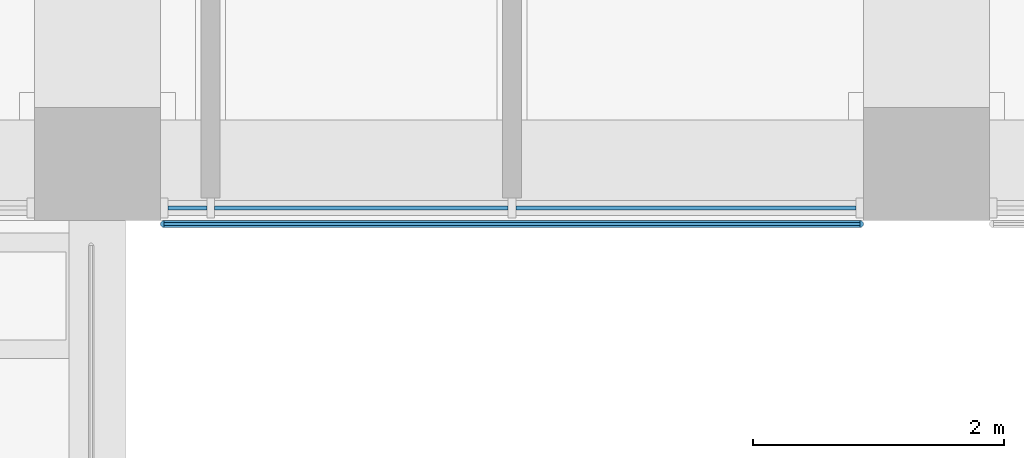
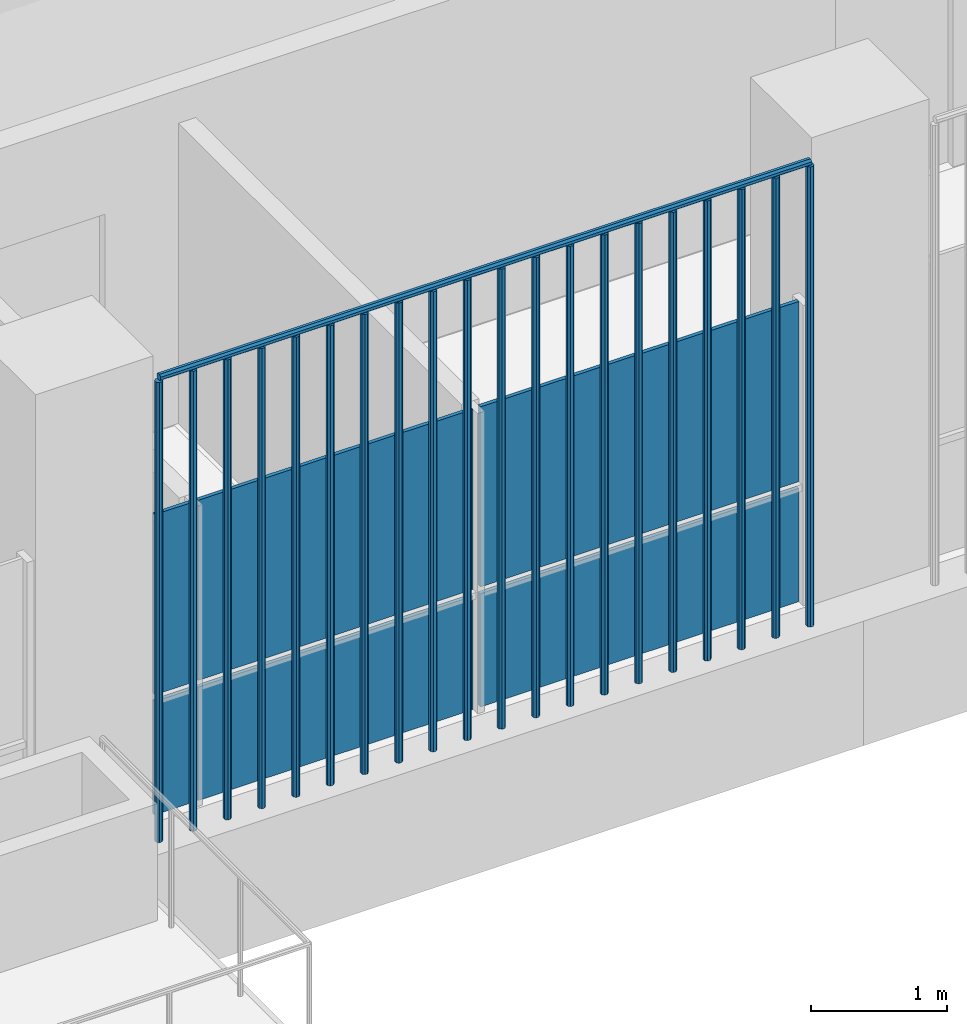
# One storey, part 8 of 19: 7 plates, 1 element without a shape of its own.
"""IFC4 building model written with IfcOpenShell, lengths in metres."""

from ifc_helpers import new_model, si_unit, direction, frame, origin, origin_2d, place, context, subcontext, project, spatial, polyline, rectangle, outline, extrude, material, layer, layer_set, type_object, element, aggregate, save


model = new_model("IFC4")

# Units and contexts
model_context = context("Model", 3, precision=1e-05, world=origin(), true_north=direction((0.0, 1.0)))
body_context = subcontext(model_context, "Body", "Model", "MODEL_VIEW")
ifc_project = project(units=[si_unit("LENGTHUNIT", "METRE"), si_unit("AREAUNIT", "SQUARE_METRE"), si_unit("VOLUMEUNIT", "CUBIC_METRE"), si_unit("PLANEANGLEUNIT", "RADIAN"), si_unit("MASSUNIT", "GRAM", prefix="KILO")], contexts=[model_context])

# Site, building, storey
site_placement = place(None, origin())
site = spatial("IfcSite", under=ifc_project, at=site_placement, CompositionType="ELEMENT")
building_placement = place(site_placement, origin())
building = spatial("IfcBuilding", under=site, at=building_placement, Name="Cobogo Forest Laboratory Tower", CompositionType="ELEMENT")
storey_placement = place(building_placement, frame((0.0, 0.0, 262.800048828125)))
storey = spatial("IfcBuildingStorey", under=building, at=storey_placement, Name="L60", CompositionType="ELEMENT", Elevation=262.800048828125)

# Curtain wall, plates
ifc_material_1 = material(Name="Aluminium curtain wall", Category="aluminium")
curtain_wall_type = type_object("IfcCurtainWallType", Name="CW-2 unitised curtain wall, solar control glazing, laboratory floors zones C and D", PredefinedType="USERDEFINED", material=ifc_material_1)
curtain_wall_placement = place(storey_placement, origin())
curtain_wall = element("IfcCurtainWall", 1, at=curtain_wall_placement, inside=storey, type_object=curtain_wall_type, Name="Curtain wall 03 L60", ObjectType="UNITISED CURTAIN WALL", PredefinedType="USERDEFINED")
ifc_material_2 = material(Name="Solar control insulated glass", Category="glass")
ifc_layer = layer(ifc_material_2, 0.031982421875)
ifc_layer_set = layer_set([ifc_layer], Name="GP-2 solar control glass unit 32")
plate_type_1 = type_object("IfcPlateType", Name="GP-2 solar control glass unit 32", PredefinedType="CURTAIN_PANEL", material=ifc_layer_set)
plate_1_placement = place(storey_placement, frame((27.114990234375, 2.949951171875, 0.0), z_axis=(0.0, 0.0, 1.0), x_axis=(1.0, 0.0, 0.0)))
plate_1 = element("IfcPlate", 2, at=plate_1_placement, type_object=plate_type_1, Name="CW-2 panel 1.1", PredefinedType="CURTAIN_PANEL", context=body_context, shape_type="SweptSolid", body=[
    extrude(rectangle(XDim=0.31005859375, YDim=0.031982421875, at=origin_2d()), origin(), (0.0, 0.0, 1.0), 1.02001953125),
])
plate_2_placement = place(storey_placement, frame((27.114990234375, 2.949951171875, 1.079833984375), z_axis=(0.0, 0.0, 1.0), x_axis=(1.0, 0.0, 0.0)))
plate_2 = element("IfcPlate", 3, at=plate_2_placement, type_object=plate_type_1, Name="CW-2 panel 1.2", PredefinedType="CURTAIN_PANEL", context=body_context, shape_type="SweptSolid", body=[
    extrude(rectangle(XDim=0.31005859375, YDim=0.031982421875, at=origin_2d()), origin(), (0.0, 0.0, 1.0), 1.6201171875),
])
plate_3_placement = place(storey_placement, frame((28.5, 2.949951171875, 0.0), z_axis=(0.0, 0.0, 1.0), x_axis=(1.0, 0.0, 0.0)))
plate_3 = element("IfcPlate", 4, at=plate_3_placement, type_object=plate_type_1, Name="CW-2 panel 2.1", PredefinedType="CURTAIN_PANEL", context=body_context, shape_type="SweptSolid", body=[
    extrude(rectangle(XDim=2.340087890625, YDim=0.031982421875, at=origin_2d()), origin(), (0.0, 0.0, 1.0), 1.02001953125),
])
plate_4_placement = place(storey_placement, frame((28.5, 2.949951171875, 1.079833984375), z_axis=(0.0, 0.0, 1.0), x_axis=(1.0, 0.0, 0.0)))
plate_4 = element("IfcPlate", 5, at=plate_4_placement, type_object=plate_type_1, Name="CW-2 panel 2.2", PredefinedType="CURTAIN_PANEL", context=body_context, shape_type="SweptSolid", body=[
    extrude(rectangle(XDim=2.340087890625, YDim=0.031982421875, at=origin_2d()), origin(), (0.0, 0.0, 1.0), 1.6201171875),
])
plate_5_placement = place(storey_placement, frame((31.0849609375, 2.949951171875, 0.0), z_axis=(0.0, 0.0, 1.0), x_axis=(1.0, 0.0, 0.0)))
plate_5 = element("IfcPlate", 6, at=plate_5_placement, type_object=plate_type_1, Name="CW-2 panel 3.1", PredefinedType="CURTAIN_PANEL", context=body_context, shape_type="SweptSolid", body=[
    extrude(rectangle(XDim=2.7099609375, YDim=0.031982421875, at=origin_2d()), origin(), (0.0, 0.0, 1.0), 1.02001953125),
])
plate_6_placement = place(storey_placement, frame((31.0849609375, 2.949951171875, 1.079833984375), z_axis=(0.0, 0.0, 1.0), x_axis=(1.0, 0.0, 0.0)))
plate_6 = element("IfcPlate", 7, at=plate_6_placement, type_object=plate_type_1, Name="CW-2 panel 3.2", PredefinedType="CURTAIN_PANEL", context=body_context, shape_type="SweptSolid", body=[
    extrude(rectangle(XDim=2.7099609375, YDim=0.031982421875, at=origin_2d()), origin(), (0.0, 0.0, 1.0), 1.6201171875),
])
aggregate(curtain_wall, [plate_1, plate_2, plate_3, plate_4, plate_5, plate_6])

# Plate
ifc_material_3 = material(Name="Terracotta", Category="masonry")
plate_type_2 = type_object("IfcPlateType", Name="TB1 terracotta baguette screen", PredefinedType="USERDEFINED", material=ifc_material_3)
plate_7_placement = place(storey_placement, frame((26.93115234375, 2.822021484375, -0.150146484375)))
element("IfcPlate", 8, at=plate_7_placement, inside=storey, type_object=plate_type_2, Name="Baguette screen S3 L60", ObjectType="BAGUETTE SCREEN", PredefinedType="USERDEFINED", context=body_context, shape_type="SweptSolid", body=[
    extrude(outline(polyline([(0.02880859375, 0.011962890625), (0.011962890625, 0.02880859375), (-0.011962890625, 0.02880859375), (-0.02880859375, 0.011962890625), (-0.02880859375, -0.011962890625), (-0.011962890625, -0.02880859375), (0.011962890625, -0.02880859375), (0.02880859375, -0.011962890625), (0.02880859375, 0.011962890625)])), frame((0.0, 0.0, 4.168701171875), z_axis=(1.0, 0.0, 0.0), x_axis=(0.0, 1.0, 0.0)), (0.0, 0.0, 1.0), 5.53759765625),
    extrude(outline(polyline([(0.02880859375, 0.011962890625), (0.011962890625, 0.02880859375), (-0.011962890625, 0.02880859375), (-0.02880859375, 0.011962890625), (-0.02880859375, -0.011962890625), (-0.011962890625, -0.02880859375), (0.011962890625, -0.02880859375), (0.02880859375, -0.011962890625), (0.02880859375, 0.011962890625)])), origin(), (0.0, 0.0, 1.0), 4.137451171875),
    extrude(outline(polyline([(0.02880859375, 0.011962890625), (0.011962890625, 0.02880859375), (-0.011962890625, 0.02880859375), (-0.02880859375, 0.011962890625), (-0.02880859375, -0.011962890625), (-0.011962890625, -0.02880859375), (0.011962890625, -0.02880859375), (0.02880859375, -0.011962890625), (0.02880859375, 0.011962890625)])), frame((0.29150390625, 0.0, 0.0)), (0.0, 0.0, 1.0), 4.137451171875),
    extrude(outline(polyline([(0.02880859375, 0.011962890625), (0.011962890625, 0.02880859375), (-0.011962890625, 0.02880859375), (-0.02880859375, 0.011962890625), (-0.02880859375, -0.011962890625), (-0.011962890625, -0.02880859375), (0.011962890625, -0.02880859375), (0.02880859375, -0.011962890625), (0.02880859375, 0.011962890625)])), frame((0.5830078125, 0.0, 0.0)), (0.0, 0.0, 1.0), 4.137451171875),
    extrude(outline(polyline([(0.02880859375, 0.011962890625), (0.011962890625, 0.02880859375), (-0.011962890625, 0.02880859375), (-0.02880859375, 0.011962890625), (-0.02880859375, -0.011962890625), (-0.011962890625, -0.02880859375), (0.011962890625, -0.02880859375), (0.02880859375, -0.011962890625), (0.02880859375, 0.011962890625)])), frame((0.874267578125, 0.0, 0.0)), (0.0, 0.0, 1.0), 4.137451171875),
    extrude(outline(polyline([(0.02880859375, 0.011962890625), (0.011962890625, 0.02880859375), (-0.011962890625, 0.02880859375), (-0.02880859375, 0.011962890625), (-0.02880859375, -0.011962890625), (-0.011962890625, -0.02880859375), (0.011962890625, -0.02880859375), (0.02880859375, -0.011962890625), (0.02880859375, 0.011962890625)])), frame((1.165771484375, 0.0, 0.0)), (0.0, 0.0, 1.0), 4.137451171875),
    extrude(outline(polyline([(0.02880859375, 0.011962890625), (0.011962890625, 0.02880859375), (-0.011962890625, 0.02880859375), (-0.02880859375, 0.011962890625), (-0.02880859375, -0.011962890625), (-0.011962890625, -0.02880859375), (0.011962890625, -0.02880859375), (0.02880859375, -0.011962890625), (0.02880859375, 0.011962890625)])), frame((1.457275390625, 0.0, 0.0)), (0.0, 0.0, 1.0), 4.137451171875),
    extrude(outline(polyline([(0.02880859375, 0.011962890625), (0.011962890625, 0.02880859375), (-0.011962890625, 0.02880859375), (-0.02880859375, 0.011962890625), (-0.02880859375, -0.011962890625), (-0.011962890625, -0.02880859375), (0.011962890625, -0.02880859375), (0.02880859375, -0.011962890625), (0.02880859375, 0.011962890625)])), frame((1.748779296875, 0.0, 0.0)), (0.0, 0.0, 1.0), 4.137451171875),
    extrude(outline(polyline([(0.02880859375, 0.011962890625), (0.011962890625, 0.02880859375), (-0.011962890625, 0.02880859375), (-0.02880859375, 0.011962890625), (-0.02880859375, -0.011962890625), (-0.011962890625, -0.02880859375), (0.011962890625, -0.02880859375), (0.02880859375, -0.011962890625), (0.02880859375, 0.011962890625)])), frame((2.040283203125, 0.0, 0.0)), (0.0, 0.0, 1.0), 4.137451171875),
    extrude(outline(polyline([(0.02880859375, 0.011962890625), (0.011962890625, 0.02880859375), (-0.011962890625, 0.02880859375), (-0.02880859375, 0.011962890625), (-0.02880859375, -0.011962890625), (-0.011962890625, -0.02880859375), (0.011962890625, -0.02880859375), (0.02880859375, -0.011962890625), (0.02880859375, 0.011962890625)])), frame((2.33154296875, 0.0, 0.0)), (0.0, 0.0, 1.0), 4.137451171875),
    extrude(outline(polyline([(0.02880859375, 0.011962890625), (0.011962890625, 0.02880859375), (-0.011962890625, 0.02880859375), (-0.02880859375, 0.011962890625), (-0.02880859375, -0.011962890625), (-0.011962890625, -0.02880859375), (0.011962890625, -0.02880859375), (0.02880859375, -0.011962890625), (0.02880859375, 0.011962890625)])), frame((2.623046875, 0.0, 0.0)), (0.0, 0.0, 1.0), 4.137451171875),
    extrude(outline(polyline([(0.02880859375, 0.011962890625), (0.011962890625, 0.02880859375), (-0.011962890625, 0.02880859375), (-0.02880859375, 0.011962890625), (-0.02880859375, -0.011962890625), (-0.011962890625, -0.02880859375), (0.011962890625, -0.02880859375), (0.02880859375, -0.011962890625), (0.02880859375, 0.011962890625)])), frame((2.91455078125, 0.0, 0.0)), (0.0, 0.0, 1.0), 4.137451171875),
    extrude(outline(polyline([(0.02880859375, 0.011962890625), (0.011962890625, 0.02880859375), (-0.011962890625, 0.02880859375), (-0.02880859375, 0.011962890625), (-0.02880859375, -0.011962890625), (-0.011962890625, -0.02880859375), (0.011962890625, -0.02880859375), (0.02880859375, -0.011962890625), (0.02880859375, 0.011962890625)])), frame((3.2060546875, 0.0, 0.0)), (0.0, 0.0, 1.0), 4.137451171875),
    extrude(outline(polyline([(0.02880859375, 0.011962890625), (0.011962890625, 0.02880859375), (-0.011962890625, 0.02880859375), (-0.02880859375, 0.011962890625), (-0.02880859375, -0.011962890625), (-0.011962890625, -0.02880859375), (0.011962890625, -0.02880859375), (0.02880859375, -0.011962890625), (0.02880859375, 0.011962890625)])), frame((3.497314453125, 0.0, 0.0)), (0.0, 0.0, 1.0), 4.137451171875),
    extrude(outline(polyline([(0.02880859375, 0.011962890625), (0.011962890625, 0.02880859375), (-0.011962890625, 0.02880859375), (-0.02880859375, 0.011962890625), (-0.02880859375, -0.011962890625), (-0.011962890625, -0.02880859375), (0.011962890625, -0.02880859375), (0.02880859375, -0.011962890625), (0.02880859375, 0.011962890625)])), frame((3.788818359375, 0.0, 0.0)), (0.0, 0.0, 1.0), 4.137451171875),
    extrude(outline(polyline([(0.02880859375, 0.011962890625), (0.011962890625, 0.02880859375), (-0.011962890625, 0.02880859375), (-0.02880859375, 0.011962890625), (-0.02880859375, -0.011962890625), (-0.011962890625, -0.02880859375), (0.011962890625, -0.02880859375), (0.02880859375, -0.011962890625), (0.02880859375, 0.011962890625)])), frame((4.080322265625, 0.0, 0.0)), (0.0, 0.0, 1.0), 4.137451171875),
    extrude(outline(polyline([(0.02880859375, 0.011962890625), (0.011962890625, 0.02880859375), (-0.011962890625, 0.02880859375), (-0.02880859375, 0.011962890625), (-0.02880859375, -0.011962890625), (-0.011962890625, -0.02880859375), (0.011962890625, -0.02880859375), (0.02880859375, -0.011962890625), (0.02880859375, 0.011962890625)])), frame((4.371826171875, 0.0, 0.0)), (0.0, 0.0, 1.0), 4.137451171875),
    extrude(outline(polyline([(0.02880859375, 0.011962890625), (0.011962890625, 0.02880859375), (-0.011962890625, 0.02880859375), (-0.02880859375, 0.011962890625), (-0.02880859375, -0.011962890625), (-0.011962890625, -0.02880859375), (0.011962890625, -0.02880859375), (0.02880859375, -0.011962890625), (0.02880859375, 0.011962890625)])), frame((4.663330078125, 0.0, 0.0)), (0.0, 0.0, 1.0), 4.137451171875),
    extrude(outline(polyline([(0.02880859375, 0.011962890625), (0.011962890625, 0.02880859375), (-0.011962890625, 0.02880859375), (-0.02880859375, 0.011962890625), (-0.02880859375, -0.011962890625), (-0.011962890625, -0.02880859375), (0.011962890625, -0.02880859375), (0.02880859375, -0.011962890625), (0.02880859375, 0.011962890625)])), frame((4.95458984375, 0.0, 0.0)), (0.0, 0.0, 1.0), 4.137451171875),
    extrude(outline(polyline([(0.02880859375, 0.011962890625), (0.011962890625, 0.02880859375), (-0.011962890625, 0.02880859375), (-0.02880859375, 0.011962890625), (-0.02880859375, -0.011962890625), (-0.011962890625, -0.02880859375), (0.011962890625, -0.02880859375), (0.02880859375, -0.011962890625), (0.02880859375, 0.011962890625)])), frame((5.24609375, 0.0, 0.0)), (0.0, 0.0, 1.0), 4.137451171875),
    extrude(outline(polyline([(0.02880859375, 0.011962890625), (0.011962890625, 0.02880859375), (-0.011962890625, 0.02880859375), (-0.02880859375, 0.011962890625), (-0.02880859375, -0.011962890625), (-0.011962890625, -0.02880859375), (0.011962890625, -0.02880859375), (0.02880859375, -0.011962890625), (0.02880859375, 0.011962890625)])), frame((5.53759765625, 0.0, 0.0)), (0.0, 0.0, 1.0), 4.137451171875),
])

save(model, "model.ifc")
